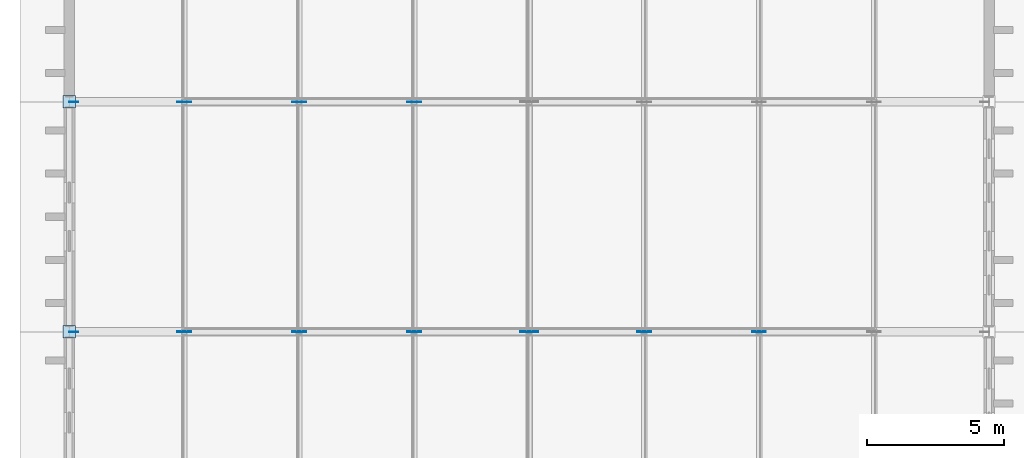
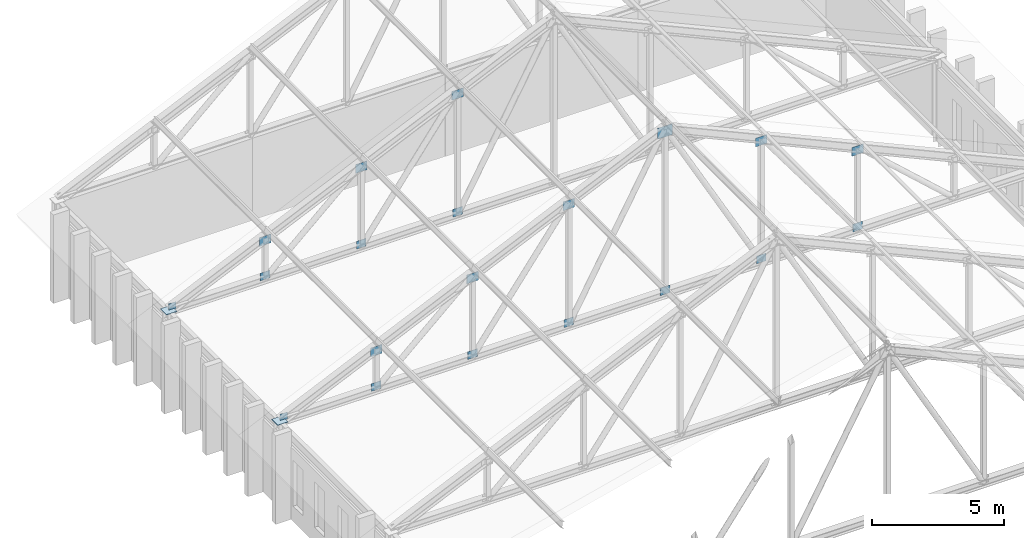
# One storey, part 70 of 110: 22 plates.
"""IFC4 building model written with IfcOpenShell, lengths in metres."""

from ifc_helpers import new_model, si_unit, direction, frame, origin, origin_2d, place, context, subcontext, project, spatial, rectangle, extrude, material, layer, layer_set, type_object, element, save


model = new_model("IFC4")

# Units and contexts
model_context = context("Model", 3, precision=1e-05, world=origin(), true_north=direction((0.0, 1.0)))
body_context = subcontext(model_context, "Body", "Model", "MODEL_VIEW")
ifc_project = project(units=[si_unit("LENGTHUNIT", "METRE"), si_unit("AREAUNIT", "SQUARE_METRE"), si_unit("VOLUMEUNIT", "CUBIC_METRE"), si_unit("PLANEANGLEUNIT", "RADIAN"), si_unit("MASSUNIT", "GRAM", prefix="KILO")], contexts=[model_context])

# Site, building, storey
site_placement = place(None, origin())
site = spatial("IfcSite", under=ifc_project, at=site_placement, CompositionType="ELEMENT")
building_placement = place(site_placement, origin())
building = spatial("IfcBuilding", under=site, at=building_placement, Name="Kveldsbrygga Polytechnic", CompositionType="ELEMENT")
storey_placement = place(building_placement, frame((0.0, 0.0, 9.860107421875)))
storey = spatial("IfcBuildingStorey", under=building, at=storey_placement, Name="L02", CompositionType="ELEMENT", Elevation=9.860107421875)

# Plates
ifc_material = material(Name="Steel S355", Category="steel")
ifc_layer_1 = layer(ifc_material, 0.030029296875)
ifc_layer_set_1 = layer_set([ifc_layer_1], Name="Steel S355")
plate_type_1 = type_object("IfcPlateType", Name="CAP-BEAR-450", PredefinedType="SHEET", material=ifc_layer_set_1)
for number, where, z_axis, x_axis, name in (
    (1, (0.0, 67.199951171875, 3.75), (0.0, 0.0, 1.0), (1.0, 0.0, 0.0), "Truss Bearing Plate V1W-T06-A"),
    (2, (0.0, 75.60009765625, 3.75), (0.0, 0.0, 1.0), (1.0, 0.0, 0.0), "Truss Bearing Plate V1W-T07-A"),
):
    element("IfcPlate", number, at=place(storey_placement, frame(where, z_axis=z_axis, x_axis=x_axis)), inside=storey, type_object=plate_type_1, Name=name, PredefinedType="SHEET", context=body_context, shape_type="SweptSolid", body=[
        extrude(rectangle(XDim=0.449951171875, YDim=0.449951171875, at=origin_2d()), origin(), (0.0, 0.0, 1.0), 0.030029296875),
    ])
ifc_layer_2 = layer(ifc_material, 0.02490234375)
ifc_layer_set_2 = layer_set([ifc_layer_2], Name="Steel S355")
plate_type_2 = type_object("IfcPlateType", Name="GUS-APEX-650", PredefinedType="SHEET", material=ifc_layer_set_2)
plate_placement = place(storey_placement, frame((16.800048828125, 67.199951171875, 10.97998046875), z_axis=(0.0, 0.0, 1.0), x_axis=(1.0, 0.0, 0.0)))
element("IfcPlate", 3, at=plate_placement, inside=storey, type_object=plate_type_2, Name="Truss Gusset Plate V1W-T06-GP-4", PredefinedType="SHEET", context=body_context, shape_type="SweptSolid", body=[
    extrude(rectangle(XDim=0.64990234375, YDim=0.02490234375, at=origin_2d()), origin(), (0.0, 0.0, 1.0), 0.5),
])
ifc_layer_3 = layer(ifc_material, 0.01806640625)
ifc_layer_set_3 = layer_set([ifc_layer_3], Name="Steel S355")
plate_type_3 = type_object("IfcPlateType", Name="GUS-BRACE-320", PredefinedType="SHEET", material=ifc_layer_set_3)
for number, where, z_axis, x_axis, name in (
    (4, (0.159912109375, 67.199951171875, 3.73974609375), (0.0, 0.0, 1.0), (1.0, 0.0, 0.0), "Truss Eaves Node Gusset V1W-T06-EGP-A"),
    (5, (0.159912109375, 75.60009765625, 3.73974609375), (0.0, 0.0, 1.0), (1.0, 0.0, 0.0), "Truss Eaves Node Gusset V1W-T07-EGP-A"),
):
    element("IfcPlate", number, at=place(storey_placement, frame(where, z_axis=z_axis, x_axis=x_axis)), inside=storey, type_object=plate_type_3, Name=name, PredefinedType="SHEET", context=body_context, shape_type="SweptSolid", body=[
        extrude(rectangle(XDim=0.320068359375, YDim=0.01806640625, at=origin_2d()), origin(), (0.0, 0.0, 1.0), 0.320068359375),
    ])
ifc_layer_4 = layer(ifc_material, 0.02001953125)
ifc_layer_set_4 = layer_set([ifc_layer_4], Name="Steel S355")
plate_type_4 = type_object("IfcPlateType", Name="GUS-LECT-420", PredefinedType="SHEET", material=ifc_layer_set_4)
for number, where, z_axis, x_axis, name in (
    (6, (4.199951171875, 67.199951171875, 3.724853515625), (0.0, 0.0, 1.0), (1.0, 0.0, 0.0), "Truss Bottom-Chord Node Gusset V1W-T06-BGP-1"),
    (7, (8.39990234375, 67.199951171875, 3.724853515625), (0.0, 0.0, 1.0), (1.0, 0.0, 0.0), "Truss Bottom-Chord Node Gusset V1W-T06-BGP-2"),
    (8, (12.60009765625, 67.199951171875, 3.724853515625), (0.0, 0.0, 1.0), (1.0, 0.0, 0.0), "Truss Bottom-Chord Node Gusset V1W-T06-BGP-3"),
    (9, (16.800048828125, 67.199951171875, 3.724853515625), (0.0, 0.0, 1.0), (1.0, 0.0, 0.0), "Truss Bottom-Chord Node Gusset V1W-T06-BGP-4"),
    (10, (21.0, 67.199951171875, 3.724853515625), (0.0, 0.0, 1.0), (1.0, 0.0, 0.0), "Truss Bottom-Chord Node Gusset V1W-T06-BGP-5"),
    (11, (25.199951171875, 67.199951171875, 3.724853515625), (0.0, 0.0, 1.0), (1.0, 0.0, 0.0), "Truss Bottom-Chord Node Gusset V1W-T06-BGP-6"),
    (12, (4.199951171875, 75.60009765625, 3.724853515625), (0.0, 0.0, 1.0), (1.0, 0.0, 0.0), "Truss Bottom-Chord Node Gusset V1W-T07-BGP-1"),
    (13, (8.39990234375, 75.60009765625, 3.724853515625), (0.0, 0.0, 1.0), (1.0, 0.0, 0.0), "Truss Bottom-Chord Node Gusset V1W-T07-BGP-2"),
    (14, (12.60009765625, 75.60009765625, 3.724853515625), (0.0, 0.0, 1.0), (1.0, 0.0, 0.0), "Truss Bottom-Chord Node Gusset V1W-T07-BGP-3"),
):
    element("IfcPlate", number, at=place(storey_placement, frame(where, z_axis=z_axis, x_axis=x_axis)), inside=storey, type_object=plate_type_4, Name=name, PredefinedType="SHEET", context=body_context, shape_type="SweptSolid", body=[
        extrude(rectangle(XDim=0.419921875, YDim=0.02001953125, at=origin_2d()), origin(), (0.0, 0.0, 1.0), 0.35009765625),
    ])
ifc_layer_5 = layer(ifc_material, 0.02197265625)
ifc_layer_set_5 = layer_set([ifc_layer_5], Name="Steel S355")
plate_type_5 = type_object("IfcPlateType", Name="GUS-NODE-500", PredefinedType="SHEET", material=ifc_layer_set_5)
for number, where, z_axis, x_axis, name in (
    (15, (4.199951171875, 67.199951171875, 5.329833984375), (0.0, 0.0, 1.0), (1.0, 0.0, 0.0), "Truss Gusset Plate V1W-T06-GP-1"),
    (16, (8.39990234375, 67.199951171875, 7.22998046875), (0.0, 0.0, 1.0), (1.0, 0.0, 0.0), "Truss Gusset Plate V1W-T06-GP-2"),
    (17, (12.60009765625, 67.199951171875, 9.1298828125), (0.0, 0.0, 1.0), (1.0, 0.0, 0.0), "Truss Gusset Plate V1W-T06-GP-3"),
    (18, (21.0, 67.199951171875, 9.1298828125), (0.0, 0.0, 1.0), (1.0, 0.0, 0.0), "Truss Gusset Plate V1W-T06-GP-5"),
    (19, (25.199951171875, 67.199951171875, 7.22998046875), (0.0, 0.0, 1.0), (1.0, 0.0, 0.0), "Truss Gusset Plate V1W-T06-GP-6"),
    (20, (4.199951171875, 75.60009765625, 5.329833984375), (0.0, 0.0, 1.0), (1.0, 0.0, 0.0), "Truss Gusset Plate V1W-T07-GP-1"),
    (21, (8.39990234375, 75.60009765625, 7.22998046875), (0.0, 0.0, 1.0), (1.0, 0.0, 0.0), "Truss Gusset Plate V1W-T07-GP-2"),
    (22, (12.60009765625, 75.60009765625, 9.1298828125), (0.0, 0.0, 1.0), (1.0, 0.0, 0.0), "Truss Gusset Plate V1W-T07-GP-3"),
):
    element("IfcPlate", number, at=place(storey_placement, frame(where, z_axis=z_axis, x_axis=x_axis)), inside=storey, type_object=plate_type_5, Name=name, PredefinedType="SHEET", context=body_context, shape_type="SweptSolid", body=[
        extrude(rectangle(XDim=0.5, YDim=0.02197265625, at=origin_2d()), origin(), (0.0, 0.0, 1.0), 0.39990234375),
    ])

save(model, "model.ifc")
